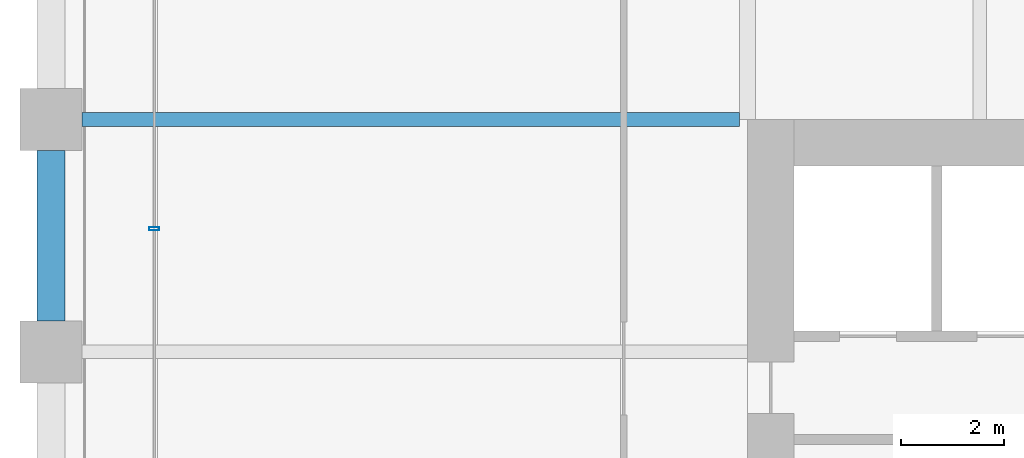
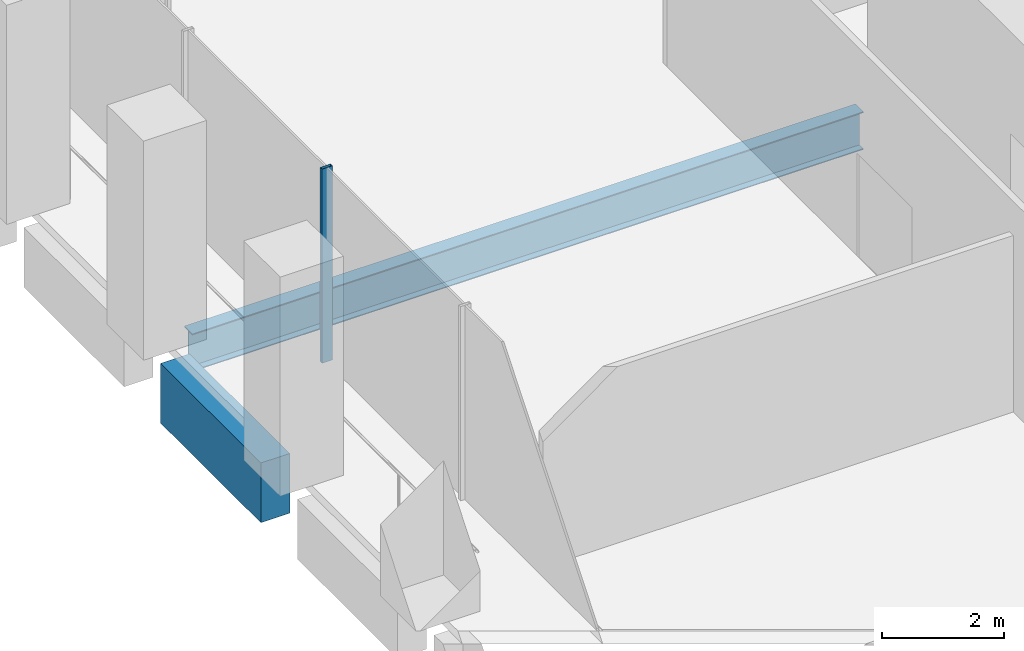
# One storey, part 8 of 36: 2 beams, 1 member, 1 element without a shape of its own.
"""IFC4 building model written with IfcOpenShell, lengths in metres."""

from ifc_helpers import new_model, si_unit, direction, frame, origin, origin_2d, place, context, subcontext, project, spatial, rectangle, hollow_rectangle, i_section, extrude, material, material_profile, profile_set, type_object, element, aggregate, save


model = new_model("IFC4")

# Units and contexts
model_context = context("Model", 3, precision=1e-05, world=origin(), true_north=direction((0.0, 1.0)))
body_context = subcontext(model_context, "Body", "Model", "MODEL_VIEW")
ifc_project = project(units=[si_unit("LENGTHUNIT", "METRE"), si_unit("AREAUNIT", "SQUARE_METRE"), si_unit("VOLUMEUNIT", "CUBIC_METRE"), si_unit("PLANEANGLEUNIT", "RADIAN"), si_unit("MASSUNIT", "GRAM", prefix="KILO")], contexts=[model_context])

# Site, building, storey
site_placement = place(None, origin())
site = spatial("IfcSite", under=ifc_project, at=site_placement, CompositionType="ELEMENT")
building_placement = place(site_placement, origin())
building = spatial("IfcBuilding", under=site, at=building_placement, Name="Altepetl Exchange Towers", CompositionType="ELEMENT")
storey_placement = place(building_placement, frame((0.0, 0.0, 43.0)))
storey = spatial("IfcBuildingStorey", under=building, at=storey_placement, Name="L09", CompositionType="ELEMENT", Elevation=43.0)

# Beam
ifc_material_1 = material(Name="Steel S355", Category="steel")
ifc_material_profile_1 = material_profile(ifc_material_1, i_section(OverallWidth=0.26611328125, OverallDepth=0.758056640625, WebThickness=0.013916015625, FlangeThickness=0.019287109375, at=origin_2d()), Name="W30X108")
ifc_profile_set_1 = profile_set([ifc_material_profile_1], Name="Steel S355")
beam_type_1 = type_object("IfcBeamType", Name="Floor beam W30X108", PredefinedType="BEAM", material=ifc_profile_set_1)
beam_1_placement = place(storey_placement, frame((27.60009765625, 58.5, -0.553955078125), z_axis=(1.0, 0.0, 0.0), x_axis=(0.0, 1.0, 0.0)))
element("IfcBeam", 1, at=beam_1_placement, inside=storey, type_object=beam_type_1, Name="bm:A:L09:021", PredefinedType="BEAM", context=body_context, shape_type="SweptSolid", body=[
    extrude(i_section(OverallWidth=0.26611328125, OverallDepth=0.758056640625, WebThickness=0.013916015625, FlangeThickness=0.019287109375, at=origin_2d()), origin(), (0.0, 0.0, 1.0), 12.745849609375),
])

# Curtain wall, member
ifc_material_2 = material(Name="Aluminium 6063-T6 glazing", Category="aluminium")
curtain_wall_type = type_object("IfcCurtainWallType", Name="Trading floor glazing system", PredefinedType="NOTDEFINED", material=ifc_material_2)
curtain_wall_placement = place(storey_placement, origin())
curtain_wall = element("IfcCurtainWall", 2, at=curtain_wall_placement, inside=storey, type_object=curtain_wall_type, Name="CW2 run", PredefinedType="NOTDEFINED")
ifc_material_3 = material(Name="Aluminium 6063-T6", Category="aluminium")
ifc_material_profile_2 = material_profile(ifc_material_3, hollow_rectangle(XDim=0.06005859375, YDim=0.199951171875, WallThickness=0.0029296875, at=origin_2d()), Name="Mullion 60x200 aluminium")
ifc_profile_set_2 = profile_set([ifc_material_profile_2], Name="Aluminium 6063-T6")
member_type = type_object("IfcMemberType", Name="Mullion 60x200 aluminium", PredefinedType="MULLION", material=ifc_profile_set_2)
member_placement = place(storey_placement, frame((29.0, 56.3857421875, 0.0), z_axis=(0.0, 0.0, 1.0), x_axis=(0.0, -1.0, 0.0)))
member = element("IfcMember", 3, at=member_placement, type_object=member_type, Name="MU2 mullion", PredefinedType="MULLION", context=body_context, shape_type="SweptSolid", body=[
    extrude(hollow_rectangle(XDim=0.06005859375, YDim=0.199951171875, WallThickness=0.0029296875, at=origin_2d()), origin(), (0.0, 0.0, 1.0), 3.89990234375),
])
aggregate(curtain_wall, [member])

# Beam
ifc_material_4 = material(Name="Concrete C50/60 precast with tezontle facing", Category="concrete")
ifc_material_profile_3 = material_profile(ifc_material_4, rectangle(XDim=0.550048828125, YDim=1.199951171875, at=origin_2d()), Name="550 x 1200")
ifc_profile_set_3 = profile_set([ifc_material_profile_3], Name="Concrete C50/60 precast with tezontle facing")
beam_type_2 = type_object("IfcBeamType", Name="Spandrel beam 550x1200 tezontle", PredefinedType="SPANDREL", material=ifc_profile_set_3)
beam_2_placement = place(storey_placement, frame((27.0, 57.89990234375, -0.77490234375), z_axis=(0.0, -1.0, 0.0), x_axis=(1.0, 0.0, 0.0)))
element("IfcBeam", 4, at=beam_2_placement, inside=storey, type_object=beam_type_2, Name="sp:A:L09:038", PredefinedType="SPANDREL", context=body_context, shape_type="SweptSolid", body=[
    extrude(rectangle(XDim=0.550048828125, YDim=1.199951171875, at=origin_2d()), origin(), (0.0, 0.0, 1.0), 3.2998046875),
])

save(model, "model.ifc")
